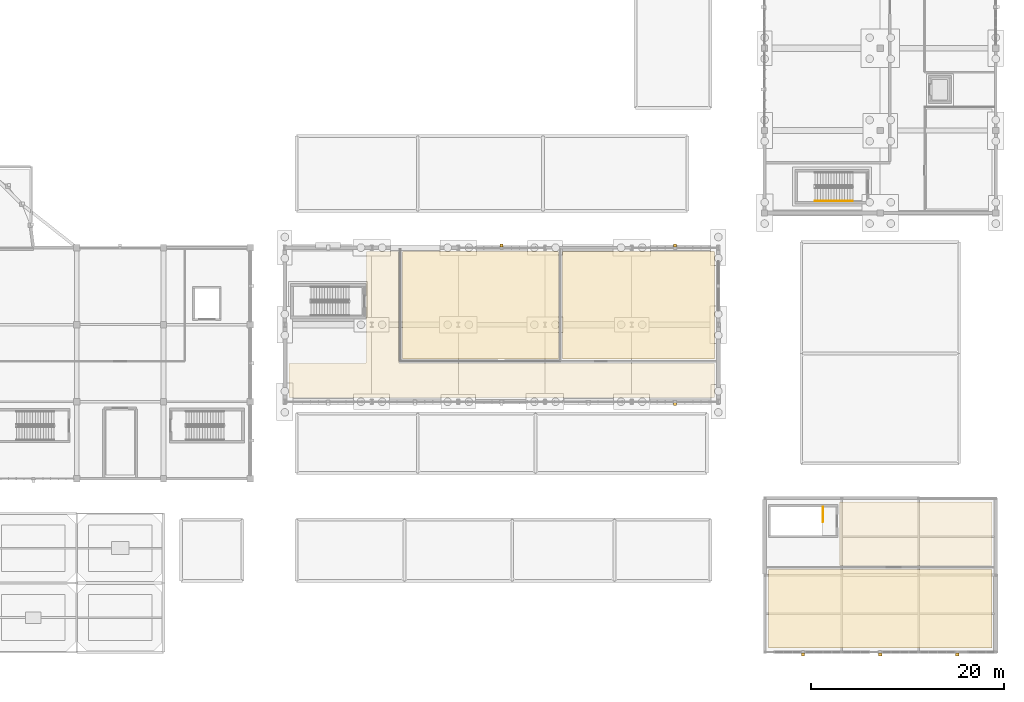
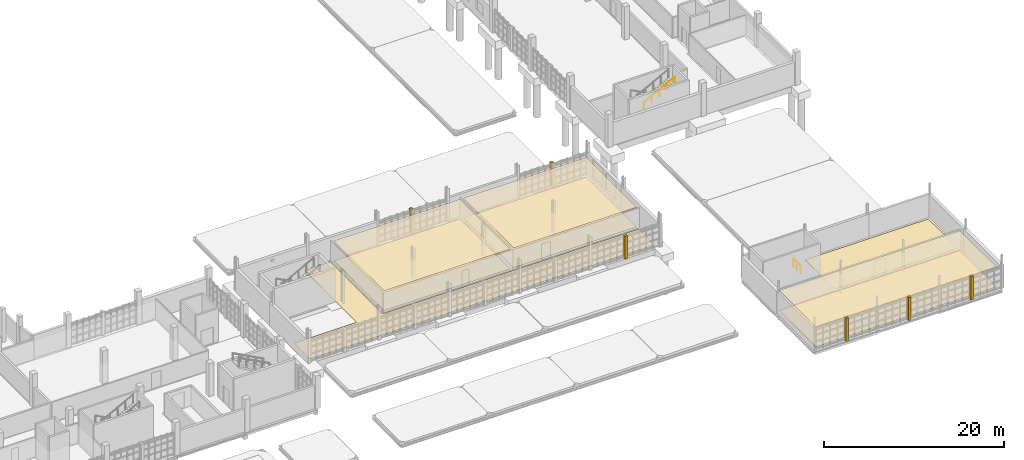
# One storey, part 121 of 125: 14 coverings, 2 railings.
"""IFC4 building model written with IfcOpenShell, lengths in metres."""

from ifc_helpers import new_model, si_unit, direction, frame, origin, origin_2d, place, context, subcontext, project, spatial, polyline, circle, outline, extrude, material, layer, layer_set, type_object, element, save


model = new_model("IFC4")

# Units and contexts
model_context = context("Model", 3, precision=1e-05, world=origin(), true_north=direction((0.0, 1.0)))
body_context = subcontext(model_context, "Body", "Model", "MODEL_VIEW")
ifc_project = project(units=[si_unit("LENGTHUNIT", "METRE"), si_unit("AREAUNIT", "SQUARE_METRE"), si_unit("VOLUMEUNIT", "CUBIC_METRE"), si_unit("PLANEANGLEUNIT", "RADIAN"), si_unit("MASSUNIT", "GRAM", prefix="KILO")], contexts=[model_context])

# Site, building, storey
site_placement = place(None, origin())
site = spatial("IfcSite", under=ifc_project, at=site_placement, CompositionType="ELEMENT")
building_placement = place(site_placement, origin())
building = spatial("IfcBuilding", under=site, at=building_placement, Name="Serraforn Aerial Cableway Station", CompositionType="ELEMENT")
storey_placement = place(building_placement, frame((0.0, 0.0, 4.5)))
storey = spatial("IfcBuildingStorey", under=building, at=storey_placement, Name="L01", CompositionType="ELEMENT", Elevation=4.5)

# Coverings
ifc_material_1 = material(Name="Fluted patinated bronze Art Deco pilaster cladding")
ifc_layer_1 = layer(ifc_material_1, 0.034912109375)
ifc_layer_set_1 = layer_set([ifc_layer_1], Name="Fluted patinated bronze Art Deco pilaster cladding")
covering_type_1 = type_object("IfcCoveringType", Name="COV-CLAD-BRZ", PredefinedType="CLADDING", material=ifc_layer_set_1)
covering_1_placement = place(storey_placement, origin())
element("IfcCovering", 1, at=covering_1_placement, inside=storey, type_object=covering_type_1, Name="Art Deco Bronze Pilaster Cladding ES-L01-S1", PredefinedType="CLADDING", context=body_context, shape_type="SweptSolid", body=[
    extrude(outline(polyline([(147.840087890625, -0.3798828125), (148.159912109375, -0.3798828125), (148.159912109375, -0.06005859375), (147.840087890625, -0.06005859375), (147.840087890625, -0.3798828125)])), origin(), (0.0, 0.0, 1.0), 3.1201171875),
])
covering_2_placement = place(storey_placement, origin())
element("IfcCovering", 2, at=covering_2_placement, inside=storey, type_object=covering_type_1, Name="Art Deco Bronze Pilaster Cladding ES-L01-S2", PredefinedType="CLADDING", context=body_context, shape_type="SweptSolid", body=[
    extrude(outline(polyline([(155.840087890625, -0.3798828125), (156.159912109375, -0.3798828125), (156.159912109375, -0.06005859375), (155.840087890625, -0.06005859375), (155.840087890625, -0.3798828125)])), origin(), (0.0, 0.0, 1.0), 3.1201171875),
])
covering_3_placement = place(storey_placement, origin())
element("IfcCovering", 3, at=covering_3_placement, inside=storey, type_object=covering_type_1, Name="Art Deco Bronze Pilaster Cladding ES-L01-S3", PredefinedType="CLADDING", context=body_context, shape_type="SweptSolid", body=[
    extrude(outline(polyline([(163.840087890625, -0.3798828125), (164.159912109375, -0.3798828125), (164.159912109375, -0.06005859375), (163.840087890625, -0.06005859375), (163.840087890625, -0.3798828125)])), origin(), (0.0, 0.0, 1.0), 3.1201171875),
])
covering_4_placement = place(storey_placement, origin())
element("IfcCovering", 4, at=covering_4_placement, inside=storey, type_object=covering_type_1, Name="Art Deco Bronze Pilaster Cladding EL-L01-N3", PredefinedType="CLADDING", context=body_context, shape_type="SweptSolid", body=[
    extrude(outline(polyline([(116.5400390625, 42.06005859375), (116.860107421875, 42.06005859375), (116.860107421875, 42.3798828125), (116.5400390625, 42.3798828125), (116.5400390625, 42.06005859375)])), origin(), (0.0, 0.0, 1.0), 3.1201171875),
])
covering_5_placement = place(storey_placement, origin())
element("IfcCovering", 5, at=covering_5_placement, inside=storey, type_object=covering_type_1, Name="Art Deco Bronze Pilaster Cladding EL-L01-S5", PredefinedType="CLADDING", context=body_context, shape_type="SweptSolid", body=[
    extrude(outline(polyline([(134.5400390625, 25.6201171875), (134.860107421875, 25.6201171875), (134.860107421875, 25.93994140625), (134.5400390625, 25.93994140625), (134.5400390625, 25.6201171875)])), origin(), (0.0, 0.0, 1.0), 3.1201171875),
])
covering_6_placement = place(storey_placement, origin())
element("IfcCovering", 6, at=covering_6_placement, inside=storey, type_object=covering_type_1, Name="Art Deco Bronze Pilaster Cladding EL-L01-N5", PredefinedType="CLADDING", context=body_context, shape_type="SweptSolid", body=[
    extrude(outline(polyline([(134.5400390625, 42.06005859375), (134.860107421875, 42.06005859375), (134.860107421875, 42.3798828125), (134.5400390625, 42.3798828125), (134.5400390625, 42.06005859375)])), origin(), (0.0, 0.0, 1.0), 3.1201171875),
])
ifc_material_2 = material(Name="Slatted Catalan chestnut acoustic ceiling")
ifc_layer_2 = layer(ifc_material_2, 0.034912109375)
ifc_layer_set_2 = layer_set([ifc_layer_2], Name="Slatted Catalan chestnut acoustic ceiling")
covering_type_2 = type_object("IfcCoveringType", Name="COV-CLG-WD", PredefinedType="CEILING", material=ifc_layer_set_2)
covering_7_placement = place(storey_placement, frame((0.0, 0.0, 2.659912109375)))
element("IfcCovering", 7, at=covering_7_placement, inside=storey, type_object=covering_type_2, Name="Suspended Ceiling L01-10", PredefinedType="CEILING", context=body_context, shape_type="SweptSolid", body=[
    extrude(outline(polyline([(144.419921875, 0.419921875), (144.419921875, 8.580078125), (167.580078125, 8.580078125), (167.580078125, 0.419921875), (144.419921875, 0.419921875)])), origin(), (0.0, 0.0, 1.0), 0.03515625),
])
covering_8_placement = place(storey_placement, frame((0.0, 0.0, 2.659912109375)))
element("IfcCovering", 8, at=covering_8_placement, inside=storey, type_object=covering_type_2, Name="Suspended Ceiling L01-13", PredefinedType="CEILING", context=body_context, shape_type="SweptSolid", body=[
    extrude(outline(polyline([(106.419921875, 30.419921875), (106.419921875, 41.580078125), (122.580078125, 41.580078125), (122.580078125, 30.419921875), (106.419921875, 30.419921875)])), origin(), (0.0, 0.0, 1.0), 0.03515625),
])
covering_9_placement = place(storey_placement, frame((0.0, 0.0, 2.659912109375)))
element("IfcCovering", 9, at=covering_9_placement, inside=storey, type_object=covering_type_2, Name="Suspended Ceiling L01-14", PredefinedType="CEILING", context=body_context, shape_type="SweptSolid", body=[
    extrude(outline(polyline([(123.02001953125, 30.419921875), (123.02001953125, 41.580078125), (138.780029296875, 41.580078125), (138.780029296875, 30.419921875), (123.02001953125, 30.419921875)])), origin(), (0.0, 0.0, 1.0), 0.03515625),
])
ifc_material_3 = material(Name="Honed Montjuic limestone flooring", Category="masonry")
ifc_layer_3 = layer(ifc_material_3, 0.030029296875)
ifc_layer_set_3 = layer_set([ifc_layer_3], Name="Honed Montjuic limestone flooring")
covering_type_3 = type_object("IfcCoveringType", Name="COV-FLR-STN", PredefinedType="FLOORING", material=ifc_layer_set_3)
covering_10_placement = place(storey_placement, origin())
element("IfcCovering", 10, at=covering_10_placement, inside=storey, type_object=covering_type_3, Name="Flooring L01-11", PredefinedType="FLOORING", context=body_context, shape_type="SweptSolid", body=[
    extrude(outline(polyline([(151.77001953125, 9.02001953125), (151.77001953125, 15.580078125), (167.580078125, 15.580078125), (167.580078125, 9.02001953125), (151.77001953125, 9.02001953125)])), origin(), (0.0, 0.0, 1.0), 0.030029296875),
])
covering_11_placement = place(storey_placement, origin())
element("IfcCovering", 11, at=covering_11_placement, inside=storey, type_object=covering_type_3, Name="Flooring L01-12", PredefinedType="FLOORING", context=body_context, shape_type="SweptSolid", body=[
    extrude(outline(polyline([(138.780029296875, 26.419921875), (94.6201171875, 26.419921875), (94.6201171875, 29.97998046875), (102.449951171875, 29.97998046875), (102.4716796875, 29.981201171875), (102.492919921875, 29.984130859375), (102.513916015625, 29.989501953125), (102.5341796875, 29.99658203125), (102.5537109375, 30.006103515625), (102.572265625, 30.01708984375), (102.589599609375, 30.02978515625), (102.605712890625, 30.04443359375), (102.6201171875, 30.060302734375), (102.6328125, 30.077880859375), (102.64404296875, 30.09619140625), (102.6533203125, 30.11572265625), (102.660400390625, 30.135986328125), (102.665771484375, 30.156982421875), (102.6689453125, 30.178466796875), (102.669921875, 30.199951171875), (102.669921875, 41.580078125), (105.97998046875, 41.580078125), (105.97998046875, 30.199951171875), (105.981201171875, 30.178466796875), (105.984130859375, 30.156982421875), (105.989501953125, 30.135986328125), (105.99658203125, 30.11572265625), (106.006103515625, 30.09619140625), (106.01708984375, 30.077880859375), (106.02978515625, 30.060302734375), (106.04443359375, 30.04443359375), (106.060302734375, 30.02978515625), (106.077880859375, 30.01708984375), (106.09619140625, 30.006103515625), (106.11572265625, 29.99658203125), (106.135986328125, 29.989501953125), (106.156982421875, 29.984130859375), (106.178466796875, 29.981201171875), (106.199951171875, 29.97998046875), (138.780029296875, 29.97998046875), (138.780029296875, 26.419921875)])), origin(), (0.0, 0.0, 1.0), 0.030029296875),
])
ifc_material_4 = material(Name="Catalan geometric terrazzo tile flooring")
ifc_layer_4 = layer(ifc_material_4, 0.02490234375)
ifc_layer_set_4 = layer_set([ifc_layer_4], Name="Catalan geometric terrazzo tile flooring")
covering_type_4 = type_object("IfcCoveringType", Name="COV-FLR-TER", PredefinedType="FLOORING", material=ifc_layer_set_4)
covering_12_placement = place(storey_placement, origin())
element("IfcCovering", 12, at=covering_12_placement, inside=storey, type_object=covering_type_4, Name="Flooring L01-14", PredefinedType="FLOORING", context=body_context, shape_type="SweptSolid", body=[
    extrude(outline(polyline([(123.02001953125, 30.419921875), (123.02001953125, 41.580078125), (138.780029296875, 41.580078125), (138.780029296875, 30.419921875), (123.02001953125, 30.419921875)])), origin(), (0.0, 0.0, 1.0), 0.02490234375),
])
ifc_material_5 = material(Name="Catalan oak parquet flooring")
ifc_layer_5 = layer(ifc_material_5, 0.02197265625)
ifc_layer_set_5 = layer_set([ifc_layer_5], Name="Catalan oak parquet flooring")
covering_type_5 = type_object("IfcCoveringType", Name="COV-FLR-WD", PredefinedType="FLOORING", material=ifc_layer_set_5)
covering_13_placement = place(storey_placement, origin())
element("IfcCovering", 13, at=covering_13_placement, inside=storey, type_object=covering_type_5, Name="Flooring L01-10", PredefinedType="FLOORING", context=body_context, shape_type="SweptSolid", body=[
    extrude(outline(polyline([(144.419921875, 0.419921875), (144.419921875, 8.580078125), (167.580078125, 8.580078125), (167.580078125, 0.419921875), (144.419921875, 0.419921875)])), origin(), (0.0, 0.0, 1.0), 0.02197265625),
])
covering_14_placement = place(storey_placement, origin())
element("IfcCovering", 14, at=covering_14_placement, inside=storey, type_object=covering_type_5, Name="Flooring L01-13", PredefinedType="FLOORING", context=body_context, shape_type="SweptSolid", body=[
    extrude(outline(polyline([(106.419921875, 30.419921875), (106.419921875, 41.580078125), (122.580078125, 41.580078125), (122.580078125, 30.419921875), (106.419921875, 30.419921875)])), origin(), (0.0, 0.0, 1.0), 0.02197265625),
])

# Railings
ifc_material_6 = material(Name="Patinated bronze stair guardrail")
ifc_layer_6 = layer(ifc_material_6, 0.050048828125)
ifc_layer_set_6 = layer_set([ifc_layer_6], Name="Patinated bronze stair guardrail")
railing_type_1 = type_object("IfcRailingType", Name="RL-STR-GRD", PredefinedType="GUARDRAIL", material=ifc_layer_set_6)
railing_1_placement = place(storey_placement, frame((150.050048828125, 15.10009765625, 0.0)))
element("IfcRailing", 15, at=railing_1_placement, inside=storey, type_object=railing_type_1, Name="L01 ST-07 top well guard 1", PredefinedType="GUARDRAIL", context=body_context, shape_type="SweptSolid", body=[
    extrude(circle(Radius=0.02392578125, at=origin_2d()), frame((0.0, 0.0, 1.076171875), z_axis=(0.0, -1.0, 0.0), x_axis=(1.0, 0.0, 0.0)), (0.0, 0.0, 1.0), 1.56005859375),
    extrude(circle(Radius=0.02099609375, at=origin_2d()), origin(), (0.0, 0.0, 1.0), 1.052001953125),
    extrude(circle(Radius=0.02099609375, at=origin_2d()), frame((0.0, -0.780029296875, 0.0)), (0.0, 0.0, 1.0), 1.052001953125),
    extrude(circle(Radius=0.02099609375, at=origin_2d()), frame((0.0, -1.56005859375, 0.0)), (0.0, 0.0, 1.0), 1.052001953125),
])
ifc_material_7 = material(Name="Brushed bronze tubular handrail")
ifc_layer_7 = layer(ifc_material_7, 0.048095703125)
ifc_layer_set_7 = layer_set([ifc_layer_7], Name="Brushed bronze tubular handrail")
railing_type_2 = type_object("IfcRailingType", Name="RL-STR-HDR", PredefinedType="HANDRAIL", material=ifc_layer_set_7)
railing_2_placement = place(storey_placement, frame((149.22998046875, 46.85009765625, 2.39990234375)))
element("IfcRailing", 16, at=railing_2_placement, inside=storey, type_object=railing_type_2, Name="L01 ST-10 stair handrail 2", PredefinedType="HANDRAIL", context=body_context, shape_type="SweptSolid", body=[
    extrude(circle(Radius=0.02392578125, at=origin_2d()), frame((0.0, 0.0, 0.8759765625), z_axis=(0.881466911329, 0.0, 0.472245787945), x_axis=(0.0, 1.0, 0.0)), (0.0, 0.0, 1.0), 4.447021484375),
    extrude(circle(Radius=0.02099609375, at=origin_2d()), origin(), (0.0, 0.0, 1.0), 0.851806640625),
    extrude(circle(Radius=0.02099609375, at=origin_2d()), frame((0.97998046875, 0.0, 0.52490234375)), (0.0, 0.0, 1.0), 0.851806640625),
    extrude(circle(Radius=0.02099609375, at=origin_2d()), frame((1.9599609375, 0.0, 1.050048828125)), (0.0, 0.0, 1.0), 0.851806640625),
    extrude(circle(Radius=0.02099609375, at=origin_2d()), frame((2.93994140625, 0.0, 1.5751953125)), (0.0, 0.0, 1.0), 0.851806640625),
    extrude(circle(Radius=0.02099609375, at=origin_2d()), frame((3.919921875, 0.0, 2.10009765625)), (0.0, 0.0, 1.0), 0.851806640625),
])

save(model, "model.ifc")
